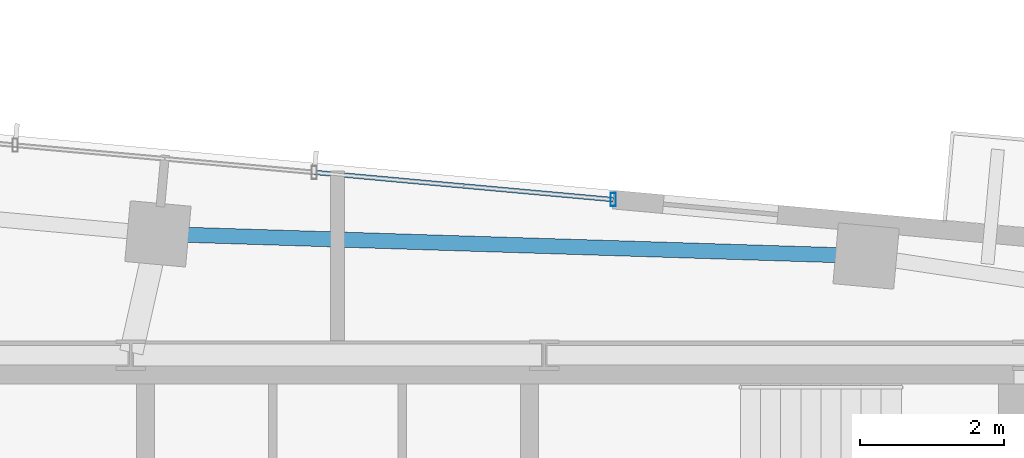
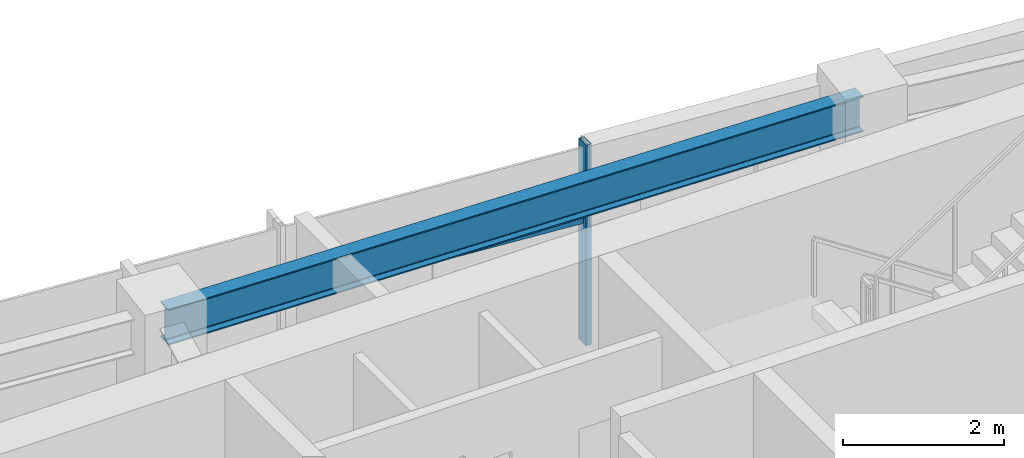
# One storey, part 11 of 22: 2 members, 1 beam, 1 element without a shape of its own.
"""IFC4 building model written with IfcOpenShell, lengths in metres."""

from ifc_helpers import new_model, si_unit, direction, frame, origin, origin_2d, place, context, subcontext, project, spatial, hollow_rectangle, i_section, extrude, source, transform, mapped, material, material_profile, profile_set, type_object, type_shapes, element, aggregate, save


model = new_model("IFC4")

# Units and contexts
model_context = context("Model", 3, precision=1e-05, world=origin(), true_north=direction((0.0, 1.0)))
body_context = subcontext(model_context, "Body", "Model", "MODEL_VIEW")
ifc_project = project(units=[si_unit("LENGTHUNIT", "METRE"), si_unit("AREAUNIT", "SQUARE_METRE"), si_unit("VOLUMEUNIT", "CUBIC_METRE"), si_unit("PLANEANGLEUNIT", "RADIAN"), si_unit("MASSUNIT", "GRAM", prefix="KILO")], contexts=[model_context])

# Site, building, storey
site_placement = place(None, origin())
site = spatial("IfcSite", under=ifc_project, at=site_placement, CompositionType="ELEMENT")
building_placement = place(site_placement, origin())
building = spatial("IfcBuilding", under=site, at=building_placement, Name="Astriad Promenade Condominiums", CompositionType="ELEMENT")
storey_placement = place(building_placement, frame((0.0, 0.0, 219.89990234375)))
storey = spatial("IfcBuildingStorey", under=building, at=storey_placement, Name="L63", CompositionType="ELEMENT", Elevation=219.89990234375)

# Beam
ifc_material_1 = material(Name="Steel ASTM A992 Grade 50", Category="steel")
ifc_material_profile_1 = material_profile(ifc_material_1, i_section(OverallWidth=0.210693359375, OverallDepth=0.53955078125, WebThickness=0.01171875, FlangeThickness=0.018798828125, FilletRadius=0.0166015625, at=origin_2d()), Name="W21X73")
ifc_profile_set_1 = profile_set([ifc_material_profile_1], Name="Steel ASTM A992 Grade 50")
beam_type = type_object("IfcBeamType", Name="STEEL SPANDREL BEAM W21X73", PredefinedType="SPANDREL", material=ifc_profile_set_1)
shared_shape_1 = source(origin(), body_context, "Body", "SweptSolid", [
    extrude(i_section(OverallWidth=0.210693359375, OverallDepth=0.53955078125, WebThickness=0.01171875, FlangeThickness=0.018798828125, FilletRadius=0.0166015625, at=origin_2d()), origin(), (0.0, 0.0, 1.0), 9.783935546875),
])
type_shapes(beam_type, [shared_shape_1])
beam_placement = place(storey_placement, frame((43.31884765625, 25.381103515625, 2.7705078125), z_axis=(-0.999511077438, 0.031266692798, 0.0), x_axis=(-0.031266692798, -0.999511077438, 0.0)))
element("IfcBeam", 1, at=beam_placement, inside=storey, type_object=beam_type, Name="Perimeter Spandrel Beam SP-N3-L63", PredefinedType="SPANDREL", context=body_context, shape_type="MappedRepresentation", body=[
    mapped(shared_shape_1, transform((0.0, 0.0, 0.0), scale=1.0)),
])

# Curtain wall, members
ifc_material_2 = material(Name="Anodised aluminium Black Dark Glass Unitised", Category="aluminium")
curtain_wall_type = type_object("IfcCurtainWallType", Name="CW-B5-DARK", PredefinedType="USERDEFINED", material=ifc_material_2)
curtain_wall_placement = place(storey_placement, origin())
curtain_wall = element("IfcCurtainWall", 2, at=curtain_wall_placement, inside=storey, type_object=curtain_wall_type, Name="CW-L63-N", ObjectType="UNITISED_CURTAIN_WALL", PredefinedType="USERDEFINED")
ifc_material_3 = material(Name="Anodised aluminium 6063-T6 Black", Category="aluminium")
ifc_material_profile_2 = material_profile(ifc_material_3, hollow_rectangle(XDim=0.06494140625, YDim=0.1298828125, WallThickness=0.00390625, at=origin_2d()), Name="ALU-TRN-65X130")
ifc_profile_set_2 = profile_set([ifc_material_profile_2], Name="Anodised aluminium 6063-T6 Black")
member_type_1 = type_object("IfcMemberType", Name="TRN-ALU-TRN-65X130", PredefinedType="USERDEFINED", material=ifc_profile_set_2)
shared_shape_2 = source(origin(), body_context, "Body", "SweptSolid", [
    extrude(hollow_rectangle(XDim=0.06494140625, YDim=0.1298828125, WallThickness=0.00390625, at=origin_2d()), origin(), (0.0, 0.0, 1.0), 4.179931640625),
])
type_shapes(member_type_1, [shared_shape_2])
member_1_placement = place(storey_placement, frame((35.67626953125, 26.54443359375, 1.885009765625), z_axis=(0.995883146811, -0.090646334165, 0.0), x_axis=(0.090646334165, 0.995883146811, 0.0)))
member_1 = element("IfcMember", 3, at=member_1_placement, type_object=member_type_1, Name="CW-L63-N-TRN-02-0", ObjectType="TRANSOM", PredefinedType="USERDEFINED", context=body_context, shape_type="MappedRepresentation", body=[
    mapped(shared_shape_2, transform((0.0, 0.0, 0.0), scale=1.0)),
])
ifc_material_profile_3 = material_profile(ifc_material_3, hollow_rectangle(XDim=0.074951171875, YDim=0.18505859375, WallThickness=0.00439453125, at=origin_2d()), Name="ALU-MUL-75X185")
ifc_profile_set_3 = profile_set([ifc_material_profile_3], Name="Anodised aluminium 6063-T6 Black")
member_type_2 = type_object("IfcMemberType", Name="MUL-ALU-MUL-75X185", PredefinedType="MULLION", material=ifc_profile_set_3)
shared_shape_3 = source(origin(), body_context, "Body", "SweptSolid", [
    extrude(hollow_rectangle(XDim=0.074951171875, YDim=0.18505859375, WallThickness=0.00439453125, at=origin_2d()), origin(), (0.0, 0.0, 1.0), 3.0400390625),
])
type_shapes(member_type_2, [shared_shape_3])
member_2_placement = place(storey_placement, frame((39.839111328125, 26.16552734375, 0.0), z_axis=(0.0, 0.0, 1.0), x_axis=(1.0, 0.0, 0.0)))
member_2 = element("IfcMember", 4, at=member_2_placement, type_object=member_type_2, Name="CW-L63-N-MUL-03", PredefinedType="MULLION", context=body_context, shape_type="MappedRepresentation", body=[
    mapped(shared_shape_3, transform((0.0, 0.0, 0.0), scale=1.0)),
])
aggregate(curtain_wall, [member_2, member_1])

save(model, "model.ifc")
